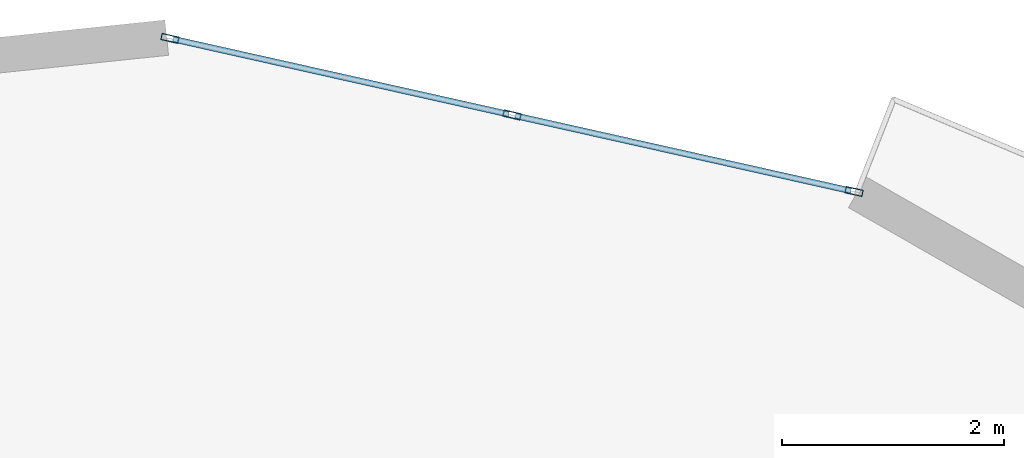
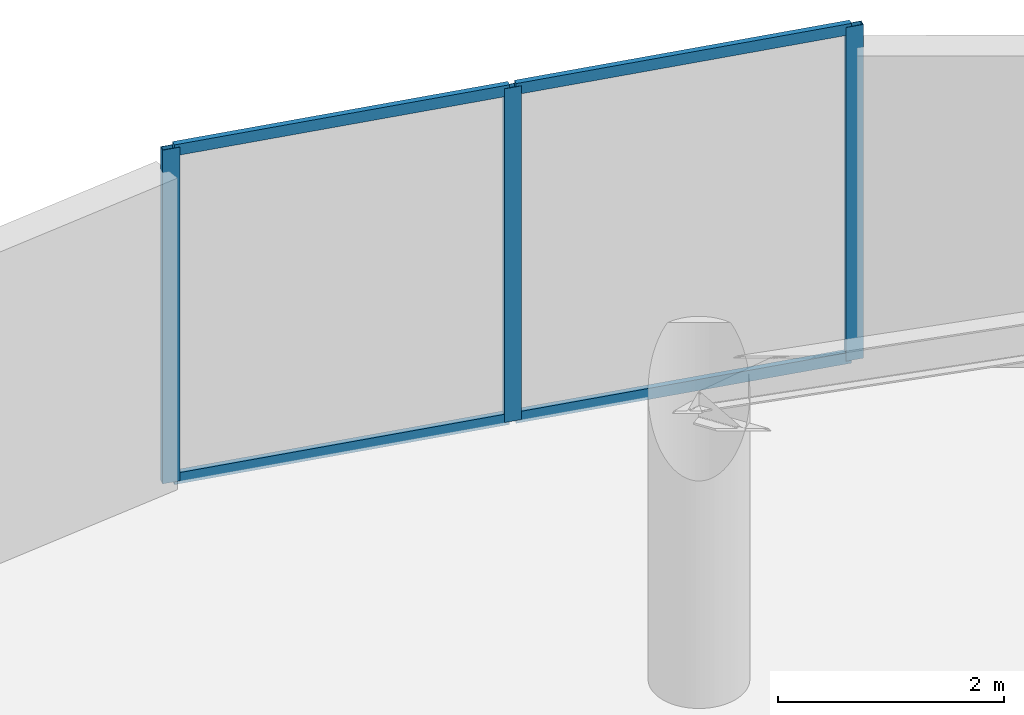
# One storey, part 16 of 23: 7 members, 1 element without a shape of its own.
"""IFC4 building model written with IfcOpenShell, lengths in metres."""

from ifc_helpers import new_model, si_unit, direction, frame, origin, origin_2d, place, context, subcontext, project, spatial, hollow_rectangle, extrude, source, transform, mapped, material, layer, layer_set, material_profile, profile_set, type_object, element, aggregate, save


model = new_model("IFC4")

# Units and contexts
model_context = context("Model", 3, precision=1e-05, world=origin(), true_north=direction((0.0, 1.0)))
body_context = subcontext(model_context, "Body", "Model", "MODEL_VIEW")
ifc_project = project(units=[si_unit("LENGTHUNIT", "METRE"), si_unit("AREAUNIT", "SQUARE_METRE"), si_unit("VOLUMEUNIT", "CUBIC_METRE"), si_unit("PLANEANGLEUNIT", "RADIAN"), si_unit("MASSUNIT", "GRAM", prefix="KILO")], contexts=[model_context])

# Site, building, storey
site_placement = place(None, origin())
site = spatial("IfcSite", under=ifc_project, at=site_placement, CompositionType="ELEMENT")
building_placement = place(site_placement, origin())
building = spatial("IfcBuilding", under=site, at=building_placement, Name="Solvirekh Grand Hotel", CompositionType="ELEMENT")
storey_placement = place(building_placement, frame((0.0, 0.0, 180.39990234375)))
storey = spatial("IfcBuildingStorey", under=building, at=storey_placement, Name="L46", CompositionType="ELEMENT", Elevation=180.39990234375)

# Curtain wall, members
ifc_material = material(Name="Anodized Bronze Aluminium 6063-T6", Category="aluminium")
ifc_layer = layer(ifc_material, 0.159912109375)
ifc_layer_set = layer_set([ifc_layer], Name="Anodized Bronze Aluminium 6063-T6")
curtain_wall_type = type_object("IfcCurtainWallType", Name="CW_Sys4_HighZoneFlushBronzeCW", PredefinedType="NOTDEFINED", material=ifc_layer_set)
curtain_wall_placement = place(storey_placement, origin())
curtain_wall = element("IfcCurtainWall", 1, at=curtain_wall_placement, inside=storey, type_object=curtain_wall_type, Name="L46 unitised bronze-glass curtain wall CW-L46-C08", PredefinedType="NOTDEFINED")
ifc_material_profile_1 = material_profile(ifc_material, hollow_rectangle(XDim=0.06005859375, YDim=0.159912109375, WallThickness=0.0048828125, at=origin_2d()), Name="ALU RHS 160X60X5")
ifc_profile_set_1 = profile_set([ifc_material_profile_1], Name="Anodized Bronze Aluminium 6063-T6")
member_type_1 = type_object("IfcMemberType", Name="CWMullion_Sys4", PredefinedType="MULLION", material=ifc_profile_set_1)
shared_shape_1 = source(origin(), body_context, "Body", "SweptSolid", [
    extrude(hollow_rectangle(XDim=0.06005859375, YDim=0.159912109375, WallThickness=0.0048828125, at=origin_2d()), origin(), (0.0, 0.0, 1.0), 3.60009765625),
])
member_1_placement = place(storey_placement, frame((3.66064453125, 19.404541015625, 0.0), z_axis=(0.0, 0.0, 1.0), x_axis=(-0.218487916144, -0.975839654092, 0.0)))
member_1 = element("IfcMember", 2, at=member_1_placement, type_object=member_type_1, Name="U04 mullion 1", PredefinedType="MULLION", context=body_context, shape_type="MappedRepresentation", body=[
    mapped(shared_shape_1, transform((0.0, 0.0, 0.0), x_axis=(1.0, 0.0, 0.0), y_axis=(0.0, 1.0, 0.0), z_axis=(0.0, 0.0, 1.0), scale=1.0)),
])
member_2_placement = place(storey_placement, frame((0.572509765625, 20.095947265625, 0.0), z_axis=(0.0, 0.0, 1.0), x_axis=(-0.218487916144, -0.975839654092, 0.0)))
member_2 = element("IfcMember", 3, at=member_2_placement, type_object=member_type_1, Name="U04 mullion 2", PredefinedType="MULLION", context=body_context, shape_type="MappedRepresentation", body=[
    mapped(shared_shape_1, transform((0.0, 0.0, 0.0), x_axis=(1.0, 0.0, 0.0), y_axis=(0.0, 1.0, 0.0), z_axis=(0.0, 0.0, 1.0), scale=1.0)),
])
member_3_placement = place(storey_placement, frame((-2.515625, 20.787353515625, 0.0), z_axis=(0.0, 0.0, 1.0), x_axis=(-0.218487916144, -0.975839654092, 0.0)))
member_3 = element("IfcMember", 4, at=member_3_placement, type_object=member_type_1, Name="U04 mullion 3", PredefinedType="MULLION", context=body_context, shape_type="MappedRepresentation", body=[
    mapped(shared_shape_1, transform((0.0, 0.0, 0.0), x_axis=(1.0, 0.0, 0.0), y_axis=(0.0, 1.0, 0.0), z_axis=(0.0, 0.0, 1.0), scale=1.0)),
])
ifc_material_profile_2 = material_profile(ifc_material, hollow_rectangle(XDim=0.054931640625, YDim=0.1201171875, WallThickness=0.00390625, at=origin_2d()), Name="ALU RHS 120X55X4")
ifc_profile_set_2 = profile_set([ifc_material_profile_2], Name="Anodized Bronze Aluminium 6063-T6")
member_type_2 = type_object("IfcMemberType", Name="CWTransom_Sys4", PredefinedType="USERDEFINED", material=ifc_profile_set_2)
shared_shape_2 = source(origin(), body_context, "Body", "SweptSolid", [
    extrude(hollow_rectangle(XDim=0.054931640625, YDim=0.1201171875, WallThickness=0.00390625, at=origin_2d()), origin(), (0.0, 0.0, 1.0), 3.1044921875),
])
member_4_placement = place(storey_placement, frame((3.63134765625, 19.4111328125, 0.027587890625), z_axis=(-0.975845392385, 0.218462285442, 0.0), x_axis=(-0.218462285442, -0.975845392385, 0.0)))
member_4 = element("IfcMember", 5, at=member_4_placement, type_object=member_type_2, Name="U04 transom 1.1", ObjectType="TRANSOM", PredefinedType="USERDEFINED", context=body_context, shape_type="MappedRepresentation", body=[
    mapped(shared_shape_2, transform((0.0, 0.0, 0.0), x_axis=(1.0, 0.0, 0.0), y_axis=(0.0, 1.0, 0.0), z_axis=(0.0, 0.0, 1.0), scale=1.0)),
])
member_5_placement = place(storey_placement, frame((3.63134765625, 19.4111328125, 3.572509765625), z_axis=(-0.975845392385, 0.218462285442, 0.0), x_axis=(-0.218462285442, -0.975845392385, 0.0)))
member_5 = element("IfcMember", 6, at=member_5_placement, type_object=member_type_2, Name="U04 transom 1.2", ObjectType="TRANSOM", PredefinedType="USERDEFINED", context=body_context, shape_type="MappedRepresentation", body=[
    mapped(shared_shape_2, transform((0.0, 0.0, 0.0), x_axis=(1.0, 0.0, 0.0), y_axis=(0.0, 1.0, 0.0), z_axis=(0.0, 0.0, 1.0), scale=1.0)),
])
member_6_placement = place(storey_placement, frame((0.543212890625, 20.1025390625, 0.027587890625), z_axis=(-0.975828624871, 0.218537170482, 0.0), x_axis=(-0.218537170482, -0.975828624871, 0.0)))
member_6 = element("IfcMember", 7, at=member_6_placement, type_object=member_type_2, Name="U04 transom 2.1", ObjectType="TRANSOM", PredefinedType="USERDEFINED", context=body_context, shape_type="MappedRepresentation", body=[
    mapped(shared_shape_2, transform((0.0, 0.0, 0.0), x_axis=(1.0, 0.0, 0.0), y_axis=(0.0, 1.0, 0.0), z_axis=(0.0, 0.0, 1.0), scale=1.0)),
])
member_7_placement = place(storey_placement, frame((0.543212890625, 20.1025390625, 3.572509765625), z_axis=(-0.975828624871, 0.218537170482, 0.0), x_axis=(-0.218537170482, -0.975828624871, 0.0)))
member_7 = element("IfcMember", 8, at=member_7_placement, type_object=member_type_2, Name="U04 transom 2.2", ObjectType="TRANSOM", PredefinedType="USERDEFINED", context=body_context, shape_type="MappedRepresentation", body=[
    mapped(shared_shape_2, transform((0.0, 0.0, 0.0), x_axis=(1.0, 0.0, 0.0), y_axis=(0.0, 1.0, 0.0), z_axis=(0.0, 0.0, 1.0), scale=1.0)),
])
aggregate(curtain_wall, [member_1, member_2, member_3, member_4, member_5, member_6, member_7])

save(model, "model.ifc")
